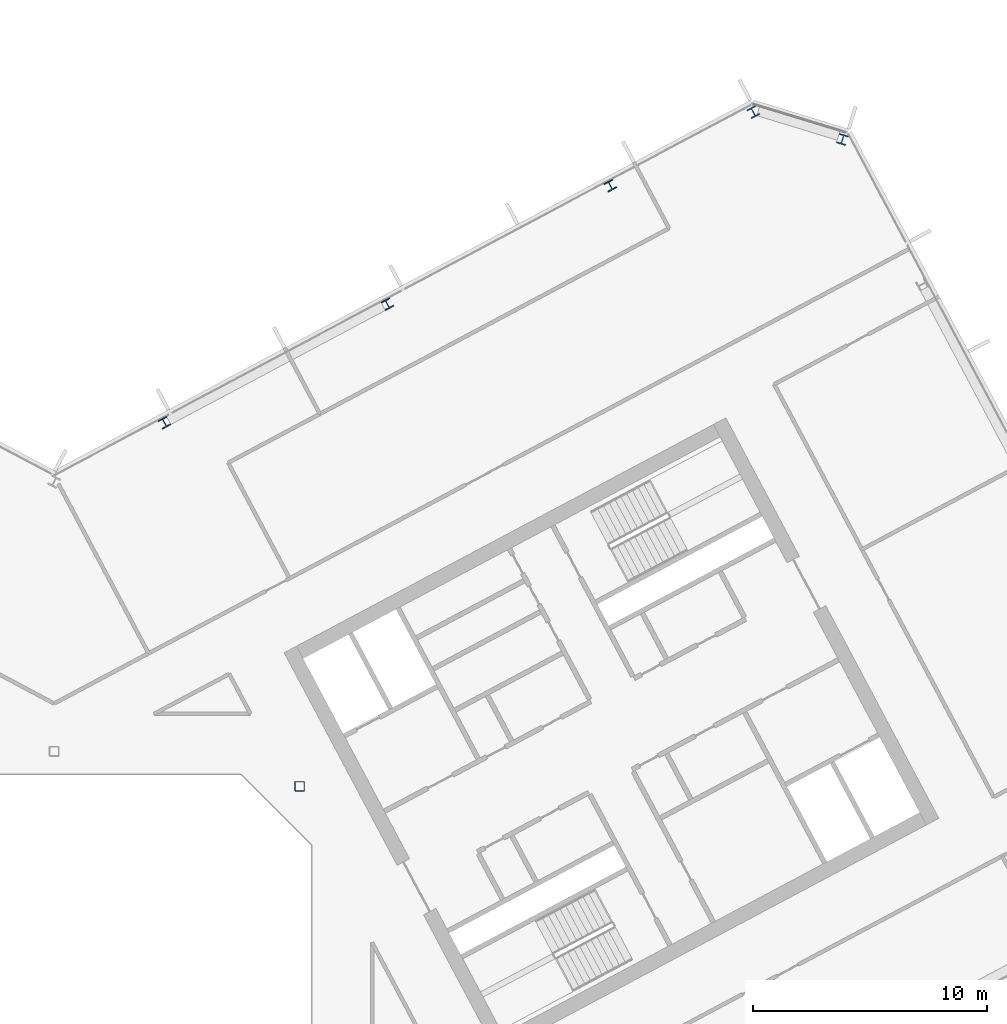
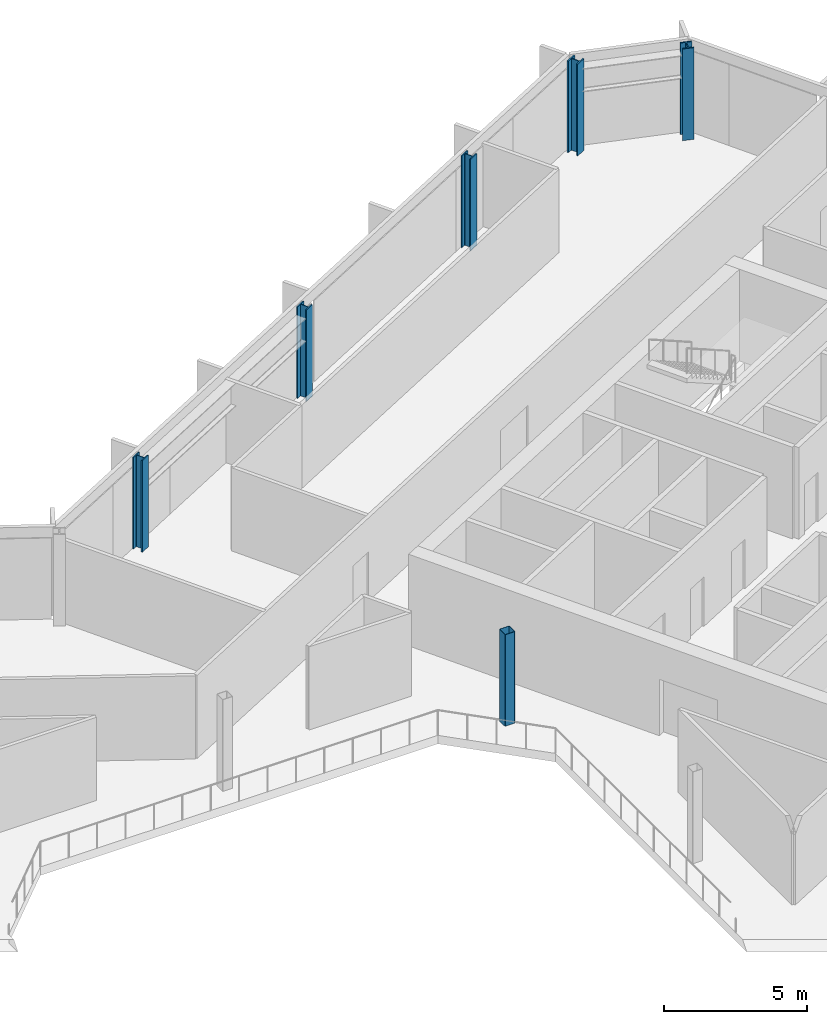
# One storey, part 6 of 27: 6 columns.
"""IFC4 building model written with IfcOpenShell, lengths in metres."""

import ifcopenshell
import ifcopenshell.guid

model = None  # the IFC model being written
_history = None  # IfcOwnerHistory: only IFC2X3 demands one
_inside = {}  # id of a spatial element -> (the spatial element, [elements in it])
_under = {}  # id of a project, library or spatial element -> (it, [spatial elements below it])
_declared = {}  # id of a project -> (the project, [libraries it declares])
_typed = {}  # id of a type object -> (the type object, [elements of that type])
_made_of = {}  # id of a material, layer set ... -> (it, [elements and type objects made of it])


def new_model(schema):
    """Start an empty IFC model of exactly this schema.

    Asked for "IFC4X3", IfcOpenShell would pick the latest addendum, in which some entities
    have other attributes; the version numbers below select the first issue.
    IFC2X3 requires an IfcOwnerHistory on every rooted entity: one is made here for all.
    """
    global model, _history
    if schema == "IFC4X3":
        model = ifcopenshell.file(schema_version=(4, 3, 0, 0))
    else:
        model = ifcopenshell.file(schema=schema)
    _inside.clear()
    _under.clear()
    _declared.clear()
    _typed.clear()
    _made_of.clear()
    _history = None
    if model.schema == "IFC2X3":
        org = make("IfcOrganization", Name="unknown")
        user = make(
            "IfcPersonAndOrganization",
            ThePerson=make("IfcPerson", FamilyName="unknown"),
            TheOrganization=org,
        )
        app = make(
            "IfcApplication",
            ApplicationDeveloper=org,
            Version="unknown",
            ApplicationFullName="unknown",
            ApplicationIdentifier="unknown",
        )
        _history = make(
            "IfcOwnerHistory",
            OwningUser=user,
            OwningApplication=app,
            ChangeAction="ADDED",
            CreationDate=0,
        )
    return model


def make(cls, **values):
    """One entity of the class cls with the attributes given. An attribute that is None is left unset."""
    return model.create_entity(
        cls, **{name: value for name, value in values.items() if value is not None}
    )


def rooted(cls, **values):
    """An entity with a GlobalId (a new one), such as an element, a storey or a relation."""
    return make(cls, GlobalId=ifcopenshell.guid.new(), OwnerHistory=_history, **values)


def si_unit(unit_type, name, prefix=None):
    """IfcSIUnit, for example si_unit("LENGTHUNIT", "METRE", prefix="MILLI")."""
    return make("IfcSIUnit", UnitType=unit_type, Prefix=prefix, Name=name)


def assignment(units):
    """IfcUnitAssignment: the units of a project."""
    return None if units is None else make("IfcUnitAssignment", Units=units)


def point(xyz):
    """IfcCartesianPoint."""
    return None if xyz is None else make("IfcCartesianPoint", Coordinates=xyz)


def direction(xyz):
    """IfcDirection."""
    return None if xyz is None else make("IfcDirection", DirectionRatios=xyz)


def frame(location, z_axis=None, x_axis=None):
    """IfcAxis2Placement3D, a coordinate frame: its origin and axes. An axis left out is left unset."""
    return make(
        "IfcAxis2Placement3D",
        Location=point(location),
        Axis=direction(z_axis),
        RefDirection=direction(x_axis),
    )


def frame_2d(location, x_axis=None):
    """IfcAxis2Placement2D, a coordinate frame in the plane: its origin and x axis."""
    return make(
        "IfcAxis2Placement2D", Location=point(location), RefDirection=direction(x_axis)
    )


def origin():
    """The frame at (0, 0, 0) with its axes left unset."""
    return frame((0.0, 0.0, 0.0))


def origin_2d():
    """The frame at (0, 0) in the plane with its x axis left unset."""
    return frame_2d((0.0, 0.0))


def place(relative_to, where):
    """IfcLocalPlacement: puts the frame where relative to a parent placement (None: the world)."""
    return make(
        "IfcLocalPlacement", PlacementRelTo=relative_to, RelativePlacement=where
    )


def context(
    kind, dimensions, precision=None, world=None, true_north=None, identifier=None
):
    """IfcGeometricRepresentationContext, for example the 3D "Model" context."""
    return make(
        "IfcGeometricRepresentationContext",
        ContextIdentifier=identifier,
        ContextType=kind,
        CoordinateSpaceDimension=dimensions,
        Precision=precision,
        WorldCoordinateSystem=world,
        TrueNorth=true_north,
    )


def subcontext(parent, identifier, kind, view, scale=None):
    """IfcGeometricRepresentationSubContext, for example "Body" below "Model"."""
    return make(
        "IfcGeometricRepresentationSubContext",
        ContextIdentifier=identifier,
        ContextType=kind,
        ParentContext=parent,
        TargetScale=scale,
        TargetView=view,
    )


def project(units=None, contexts=None):
    """IfcProject with its units and contexts."""
    return rooted(
        "IfcProject",
        Name="project",
        RepresentationContexts=contexts,
        UnitsInContext=assignment(units),
    )


def spatial(cls, under=None, at=None, **own):
    """A site, building, storey or space (cls), placed at a placement, below another one or the project."""
    s = rooted(cls, ObjectPlacement=at, **own)
    if under is not None:
        _under.setdefault(under.id(), (under, []))[1].append(s)
    return s


def profile(cls, at=None, kind="AREA", **sizes):
    """A parametric profile (cls). Its sizes go by their IFC names, for example OverallWidth=200.0."""
    return make(cls, ProfileType=kind, Position=at, **sizes)


def hollow_rectangle(**sizes):
    """IfcRectangleHollowProfileDef."""
    return profile("IfcRectangleHollowProfileDef", **sizes)


def i_section(**sizes):
    """IfcIShapeProfileDef."""
    return profile("IfcIShapeProfileDef", **sizes)


def extrude(swept, where, along, depth):
    """IfcExtrudedAreaSolid: the profile swept, set in the frame where, extruded along a direction by depth."""
    return make(
        "IfcExtrudedAreaSolid",
        SweptArea=swept,
        Position=where,
        ExtrudedDirection=direction(along),
        Depth=depth,
    )


def shape(context_of_items, identifier, shape_type, items):
    """IfcShapeRepresentation: the items that make up one representation, for example the "Body"."""
    return make(
        "IfcShapeRepresentation",
        ContextOfItems=context_of_items,
        RepresentationIdentifier=identifier,
        RepresentationType=shape_type,
        Items=items,
    )


def material(Name=None, Category=None):
    """IfcMaterial."""
    return make("IfcMaterial", Name=Name, Category=Category)


def material_profile(
    of_material, cross_section, Name=None, Category=None, Priority=None
):
    """IfcMaterialProfile: a cross section and its material."""
    return make(
        "IfcMaterialProfile",
        Name=Name,
        Material=of_material,
        Profile=cross_section,
        Priority=Priority,
        Category=Category,
    )


def profile_set(profiles, Name=None, composite=None):
    """IfcMaterialProfileSet."""
    return make(
        "IfcMaterialProfileSet",
        Name=Name,
        MaterialProfiles=profiles,
        CompositeProfile=composite,
    )


def made_of(thing, what):
    """Note that an element or type object is made of a material, layer set ...; save() writes the relation."""
    if what is not None:
        _made_of.setdefault(what.id(), (what, []))[1].append(thing)
    return thing


def type_object(cls, material=None, **own):
    """A type object (cls), such as IfcWallType, which elements share."""
    return made_of(rooted(cls, **own), material)


def element(
    cls,
    number,
    at=None,
    inside=None,
    cuts=None,
    type_object=None,
    material=None,
    context=None,
    identifier="Body",
    shape_type=None,
    held_by="IfcProductDefinitionShape",
    body=None,
    shapes=None,
    **own,
):
    """One element of the class cls, such as IfcWall. Its Tag is "e" and its number.

    at: its placement. inside: the storey or other place that contains it. cuts: it is an
    opening in that element (IfcRelVoidsElement). A single representation is given by context,
    identifier, shape_type and body (its items); several are given by shapes. held_by: the class
    of the entity that holds the representations. save() writes the other relations.
    """
    e = rooted(cls, Tag="e%d" % number, ObjectPlacement=at, **own)
    if body is not None:
        shapes = [shape(context, identifier, shape_type, body)]
    if shapes is not None:
        e.Representation = make(held_by, Representations=shapes)
    if inside is not None:
        _inside.setdefault(inside.id(), (inside, []))[1].append(e)
    if cuts is not None:
        rooted(
            "IfcRelVoidsElement", RelatingBuildingElement=cuts, RelatedOpeningElement=e
        )
    if type_object is not None:
        _typed.setdefault(type_object.id(), (type_object, []))[1].append(e)
    return made_of(e, material)


def aggregate(whole, parts):
    """IfcRelAggregates: a whole, such as a stair, and the parts it consists of."""
    return rooted("IfcRelAggregates", RelatingObject=whole, RelatedObjects=parts)


def save(model, path):
    """Write the relations noted so far, then the file.

    IfcRelAggregates (storeys below a building ...), IfcRelContainedInSpatialStructure (elements
    in a storey), IfcRelDefinesByType, IfcRelAssociatesMaterial and IfcRelDeclares: one each for
    every whole, place, type object, material and project.
    """
    for whole, parts in _under.values():
        aggregate(whole, parts)
    for where, things in _inside.values():
        rooted(
            "IfcRelContainedInSpatialStructure",
            RelatedElements=things,
            RelatingStructure=where,
        )
    for kind, things in _typed.values():
        rooted("IfcRelDefinesByType", RelatedObjects=things, RelatingType=kind)
    for what, things in _made_of.values():
        rooted("IfcRelAssociatesMaterial", RelatedObjects=things, RelatingMaterial=what)
    for by, libraries in _declared.values():
        rooted("IfcRelDeclares", RelatingContext=by, RelatedDefinitions=libraries)
    model.write(path)


model = new_model("IFC4")

# Units and contexts
model_context = context("Model", 3, precision=1e-05, world=origin(), true_north=direction((0.0, 1.0)))
body_context = subcontext(model_context, "Body", "Model", "MODEL_VIEW")
ifc_project = project(units=[si_unit("LENGTHUNIT", "METRE"), si_unit("AREAUNIT", "SQUARE_METRE"), si_unit("VOLUMEUNIT", "CUBIC_METRE"), si_unit("PLANEANGLEUNIT", "RADIAN"), si_unit("MASSUNIT", "GRAM", prefix="KILO")], contexts=[model_context])

# Site, building, storey
site_placement = place(None, origin())
site = spatial("IfcSite", under=ifc_project, at=site_placement, CompositionType="ELEMENT")
building_placement = place(site_placement, origin())
building = spatial("IfcBuilding", under=site, at=building_placement, Name="Cormorant Relay Tower", CompositionType="ELEMENT")
storey_placement = place(building_placement, frame((0.0, 0.0, 240.300048828125)))
storey = spatial("IfcBuildingStorey", under=building, at=storey_placement, Name="L53", CompositionType="ELEMENT", Elevation=240.300048828125)

# Columns
ifc_material_1 = material(Name="Steel ASTM A500 Grade C (Fy 345 MPa)", Category="steel")
ifc_material_profile_1 = material_profile(ifc_material_1, hollow_rectangle(XDim=0.406494140625, YDim=0.406494140625, WallThickness=0.0146484375, InnerFilletRadius=0.00732421875, OuterFilletRadius=0.022216796875, at=origin_2d()), Name="HSS406x406x15")
ifc_profile_set_1 = profile_set([ifc_material_profile_1], Name="Steel ASTM A500 Grade C (Fy 345 MPa)")
column_type_1 = type_object("IfcColumnType", Name="Column HSS406x406x15", PredefinedType="COLUMN", material=ifc_profile_set_1)
column_placement = place(storey_placement, frame((10.5, 10.5, 0.0), z_axis=(0.0, 0.0, 1.0), x_axis=(1.0, 0.0, 0.0)))
element("IfcColumn", 1, at=column_placement, inside=storey, type_object=column_type_1, Name="Column L53-024", PredefinedType="COLUMN", context=body_context, shape_type="SweptSolid", body=[
    extrude(hollow_rectangle(XDim=0.406494140625, YDim=0.406494140625, WallThickness=0.0146484375, InnerFilletRadius=0.00732421875, OuterFilletRadius=0.022216796875, at=origin_2d()), origin(), (0.0, 0.0, 1.0), 3.89990234375),
])
ifc_material_2 = material(Name="Steel ASTM A992 (Fy 345 MPa)", Category="steel")
ifc_material_profile_2 = material_profile(ifc_material_2, i_section(OverallWidth=0.40380859375, OverallDepth=0.406494140625, WebThickness=0.027099609375, FlangeThickness=0.043701171875, FilletRadius=0.01513671875, at=origin_2d()), Name="W360x347")
ifc_profile_set_2 = profile_set([ifc_material_profile_2], Name="Steel ASTM A992 (Fy 345 MPa)")
column_type_2 = type_object("IfcColumnType", Name="Column W360x347", PredefinedType="COLUMN", material=ifc_profile_set_2)
for number, where, z_axis, x_axis, name in (
    (2, (4.719970703125, 26.055908203125, 0.0), (0.0, 0.0, 1.0), (-0.882947592859, -0.469471562786, 0.0), "Column L53-032"),
    (3, (14.256103515625, 31.1259765625, 0.0), (0.0, 0.0, 1.0), (-0.882947592859, -0.469471562786, 0.0), "Column L53-035"),
    (4, (23.7919921875, 36.196044921875, 0.0), (0.0, 0.0, 1.0), (-0.882947592859, -0.469471562786, 0.0), "Column L53-039"),
):
    element("IfcColumn", number, at=place(storey_placement, frame(where, z_axis=z_axis, x_axis=x_axis)), inside=storey, type_object=column_type_2, Name=name, PredefinedType="COLUMN", context=body_context, shape_type="SweptSolid", body=[
        extrude(i_section(OverallWidth=0.40380859375, OverallDepth=0.406494140625, WebThickness=0.027099609375, FlangeThickness=0.043701171875, FilletRadius=0.01513671875, at=origin_2d()), origin(), (0.0, 0.0, 1.0), 3.89990234375),
    ])
ifc_material_3 = material(Name="Steel ASTM A992 (Fy 345 MPa)", Category="steel")
ifc_material_profile_3 = material_profile(ifc_material_3, i_section(OverallWidth=0.41162109375, OverallDepth=0.434326171875, WebThickness=0.035888671875, FlangeThickness=0.057373046875, FilletRadius=0.01513671875, at=origin_2d()), Name="W360x463")
ifc_profile_set_3 = profile_set([ifc_material_profile_3], Name="Steel ASTM A992 (Fy 345 MPa)")
column_type_3 = type_object("IfcColumnType", Name="Column W360x463", PredefinedType="COLUMN", material=ifc_profile_set_3)
for number, where, z_axis, x_axis, name in (
    (5, (33.720947265625, 38.173095703125, 0.0), (0.0, 0.0, 1.0), (-0.956304755963, 0.292371704723, 0.0), "Column L53-041"),
    (6, (29.905029296875, 39.340087890625, 0.0), (0.0, 0.0, 1.0), (-0.882947592859, -0.469471562786, 0.0), "Column L53-043"),
):
    element("IfcColumn", number, at=place(storey_placement, frame(where, z_axis=z_axis, x_axis=x_axis)), inside=storey, type_object=column_type_3, Name=name, PredefinedType="COLUMN", context=body_context, shape_type="SweptSolid", body=[
        extrude(i_section(OverallWidth=0.41162109375, OverallDepth=0.434326171875, WebThickness=0.035888671875, FlangeThickness=0.057373046875, FilletRadius=0.01513671875, at=origin_2d()), origin(), (0.0, 0.0, 1.0), 3.89990234375),
    ])

save(model, "model.ifc")
